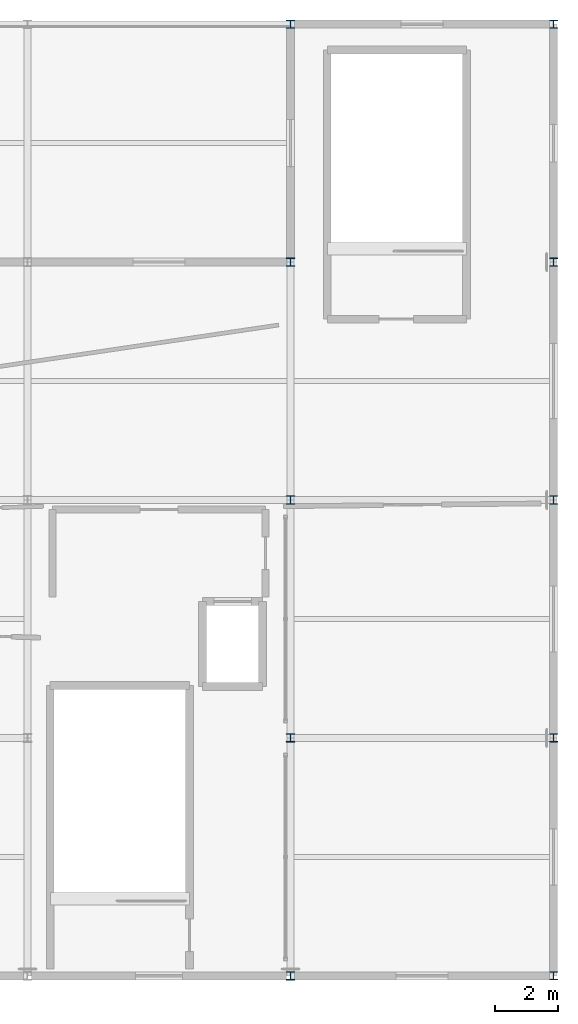
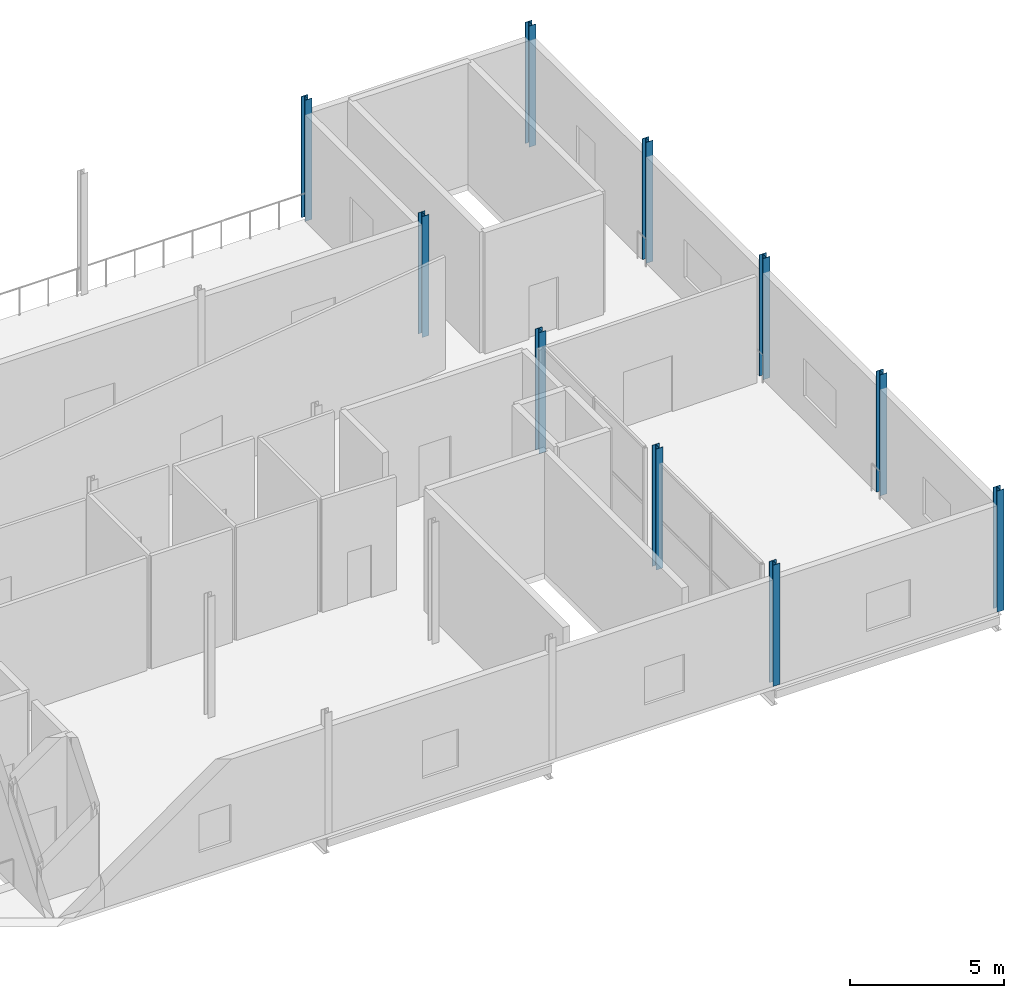
# One storey, part 2 of 8: 10 columns.
"""IFC4 building model written with IfcOpenShell, lengths in metres."""

from ifc_helpers import new_model, si_unit, direction, frame, origin, origin_2d, place, context, subcontext, project, spatial, i_section, extrude, material, material_profile, profile_set, type_object, element, save


model = new_model("IFC4")

# Units and contexts
model_context = context("Model", 3, precision=1e-05, world=origin(), true_north=direction((0.0, 1.0)))
body_context = subcontext(model_context, "Body", "Model", "MODEL_VIEW")
ifc_project = project(units=[si_unit("LENGTHUNIT", "METRE"), si_unit("AREAUNIT", "SQUARE_METRE"), si_unit("VOLUMEUNIT", "CUBIC_METRE"), si_unit("PLANEANGLEUNIT", "RADIAN"), si_unit("MASSUNIT", "GRAM", prefix="KILO")], contexts=[model_context])

# Site, building, storey
site_placement = place(None, origin())
site = spatial("IfcSite", under=ifc_project, at=site_placement, CompositionType="ELEMENT")
building_placement = place(site_placement, origin())
building = spatial("IfcBuilding", under=site, at=building_placement, Name="Zuvorla Pavilion Media Centre", CompositionType="ELEMENT")
storey_placement = place(building_placement, frame((0.0, 0.0, 26.39990234375)))
storey = spatial("IfcBuildingStorey", under=building, at=storey_placement, Name="L06", CompositionType="ELEMENT", Elevation=26.39990234375)

# Columns
ifc_material = material(Name="Steel S355", Category="steel")
ifc_material_profile = material_profile(ifc_material, i_section(OverallWidth=0.25634765625, OverallDepth=0.26025390625, WebThickness=0.01025390625, FlangeThickness=0.017333984375, FilletRadius=0.0126953125, at=origin_2d()), Name="UC 254x254x89")
ifc_profile_set = profile_set([ifc_material_profile], Name="Steel S355")
column_type = type_object("IfcColumnType", Name="COL-UC254", PredefinedType="COLUMN", material=ifc_profile_set)
for number, where, z_axis, x_axis, name in (
    (1, (100.39990234375, 6.0, 0.0), (0.0, 0.0, 1.0), (1.0, 0.0, 0.0), "L06 column C11 56"),
    (2, (108.800048828125, 6.0, 0.0), (0.0, 0.0, 1.0), (1.0, 0.0, 0.0), "L06 column C11 64"),
    (3, (100.39990234375, 13.60009765625, 0.0), (0.0, 0.0, 1.0), (1.0, 0.0, 0.0), "L06 column C11 154"),
    (4, (108.800048828125, 13.60009765625, 0.0), (0.0, 0.0, 1.0), (1.0, 0.0, 0.0), "L06 column C11 162"),
    (5, (100.39990234375, 21.199951171875, 0.0), (0.0, 0.0, 1.0), (1.0, 0.0, 0.0), "L06 column C11 255"),
    (6, (108.800048828125, 21.199951171875, 0.0), (0.0, 0.0, 1.0), (1.0, 0.0, 0.0), "L06 column C11 263"),
    (7, (100.39990234375, 28.800048828125, 0.0), (0.0, 0.0, 1.0), (1.0, 0.0, 0.0), "L06 column C11 350"),
    (8, (108.800048828125, 28.800048828125, 0.0), (0.0, 0.0, 1.0), (1.0, 0.0, 0.0), "L06 column C11 358"),
    (9, (100.39990234375, 36.39990234375, 0.0), (0.0, 0.0, 1.0), (1.0, 0.0, 0.0), "L06 column C11 440"),
    (10, (108.800048828125, 36.39990234375, 0.0), (0.0, 0.0, 1.0), (1.0, 0.0, 0.0), "L06 column C11 448"),
):
    element("IfcColumn", number, at=place(storey_placement, frame(where, z_axis=z_axis, x_axis=x_axis)), inside=storey, type_object=column_type, Name=name, PredefinedType="COLUMN", context=body_context, shape_type="SweptSolid", body=[
        extrude(i_section(OverallWidth=0.25634765625, OverallDepth=0.26025390625, WebThickness=0.01025390625, FlangeThickness=0.017333984375, FilletRadius=0.0126953125, at=origin_2d()), origin(), (0.0, 0.0, 1.0), 4.800048828125),
    ])

save(model, "model.ifc")
